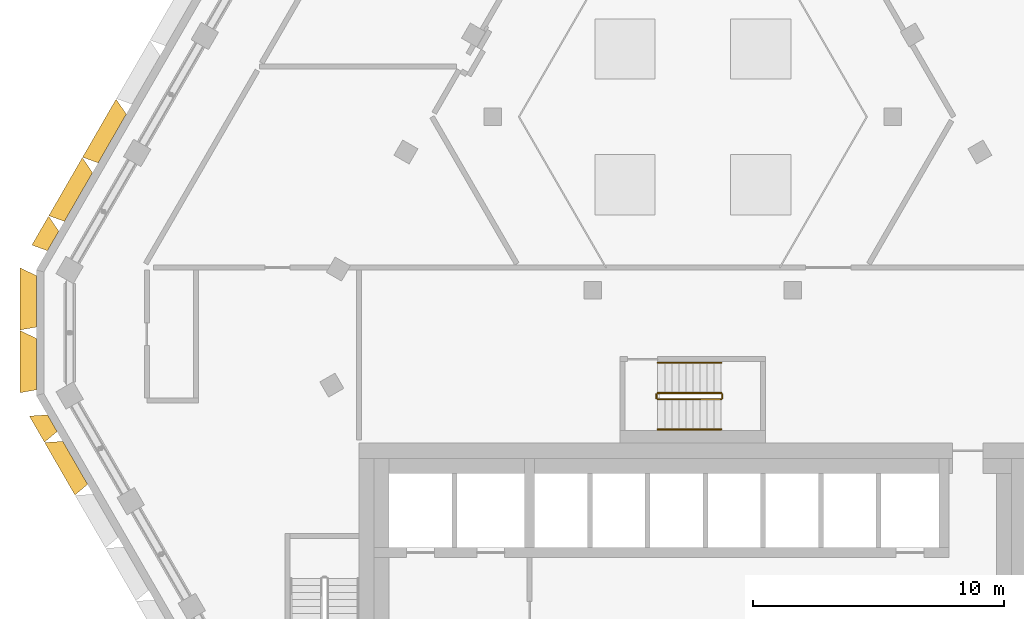
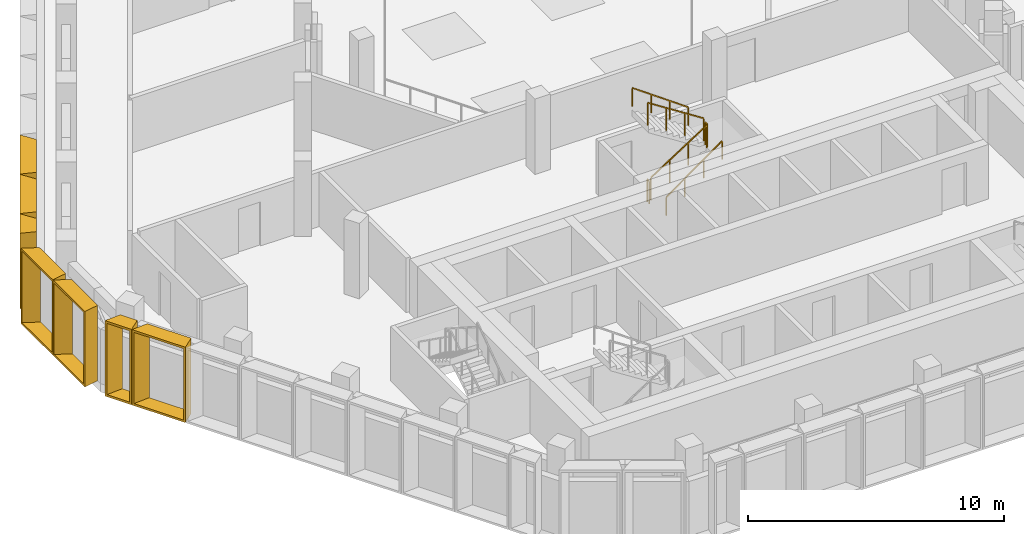
# One storey, part 21 of 24: 7 shading devices, 6 railings.
"""IFC4 building model written with IfcOpenShell, lengths in metres."""

from ifc_helpers import new_model, entity, si_unit, direction, frame, origin, origin_2d, place, context, subcontext, project, spatial, rectangle, extrude, source, transform, mapped, material, type_object, type_shapes, element, save


model = new_model("IFC4")

# Units and contexts
model_context = context("Model", 3, precision=1e-05, world=origin(), true_north=direction((0.0, 1.0)))
body_context = subcontext(model_context, "Body", "Model", "MODEL_VIEW")
ifc_project = project(units=[si_unit("LENGTHUNIT", "METRE"), si_unit("AREAUNIT", "SQUARE_METRE"), si_unit("VOLUMEUNIT", "CUBIC_METRE"), si_unit("PLANEANGLEUNIT", "RADIAN"), si_unit("MASSUNIT", "GRAM", prefix="KILO")], contexts=[model_context])

# Site, building, storey
site_placement = place(None, origin())
site = spatial("IfcSite", under=ifc_project, at=site_placement, CompositionType="ELEMENT")
building_placement = place(site_placement, origin())
building = spatial("IfcBuilding", under=site, at=building_placement, Name="Beryl Residences", CompositionType="ELEMENT")
storey_placement = place(building_placement, frame((0.0, 0.0, 199.199951171875)))
storey = spatial("IfcBuildingStorey", under=building, at=storey_placement, Name="L61", CompositionType="ELEMENT", Elevation=199.199951171875)

# Shading devices
ifc_material_1 = material(Name="Aluminium pale anodised", Category="aluminium")
shading_device_type_1 = type_object("IfcShadingDeviceType", Name="FR122-65B-H36 OUTER SKIN frame 650 mm deep, splay 26/10 deg, 1220 x 3600 mm cell", PredefinedType="USERDEFINED", material=ifc_material_1)
cartesian_point_1 = entity("IfcCartesianPoint", [-0.384033203125, 0.0])
cartesian_point_2 = entity("IfcCartesianPoint", [-0.294921875, 0.10009765625])
cartesian_point_3 = entity("IfcCartesianPoint", [-0.700927734375, 0.0])
cartesian_point_4 = entity("IfcCartesianPoint", [-0.612060546875, 0.10009765625])
shared_shape_1 = source(origin(), body_context, "Body", "SweptSolid", [
    entity("IfcExtrudedAreaSolidTapered", entity("IfcArbitraryProfileDefWithVoids", "AREA", None, entity("IfcPolyline", [cartesian_point_1, entity("IfcCartesianPoint", [0.384033203125, 0.0]), entity("IfcCartesianPoint", [0.384033203125, 3.60009765625]), entity("IfcCartesianPoint", [-0.384033203125, 3.60009765625]), cartesian_point_1]), [entity("IfcPolyline", [cartesian_point_2, entity("IfcCartesianPoint", [0.302734375, 0.10009765625]), entity("IfcCartesianPoint", [0.302734375, 3.5]), entity("IfcCartesianPoint", [-0.294921875, 3.5]), cartesian_point_2])]), entity("IfcAxis2Placement3D", entity("IfcCartesianPoint", [0.0, 0.0, 0.0]), entity("IfcDirection", [0.0, 1.0, 0.0]), entity("IfcDirection", [-1.0, 0.0, 0.0])), entity("IfcDirection", [0.0, 0.0, 1.0]), 0.64990234375, entity("IfcArbitraryProfileDefWithVoids", "AREA", None, entity("IfcPolyline", [cartesian_point_3, entity("IfcCartesianPoint", [0.49853515625, 0.0]), entity("IfcCartesianPoint", [0.49853515625, 3.60009765625]), entity("IfcCartesianPoint", [-0.700927734375, 3.60009765625]), cartesian_point_3]), [entity("IfcPolyline", [cartesian_point_4, entity("IfcCartesianPoint", [0.41748046875, 0.10009765625]), entity("IfcCartesianPoint", [0.41748046875, 3.5]), entity("IfcCartesianPoint", [-0.612060546875, 3.5]), cartesian_point_4])])),
])
type_shapes(shading_device_type_1, [shared_shape_1])
shading_device_1_placement = place(storey_placement, frame((-25.51708984375, -4.200927734375, 0.0), z_axis=(0.0, 0.0, 1.0), x_axis=(-0.5, 0.866025403784, 0.0)))
element("IfcShadingDevice", 1, at=shading_device_1_placement, inside=storey, type_object=shading_device_type_1, Name="FR122-65B-H36 frame L61 SW 1", ObjectType="OUTER SKIN", PredefinedType="USERDEFINED", context=body_context, shape_type="MappedRepresentation", body=[
    mapped(shared_shape_1, transform((0.0, 0.0, 0.0))),
])
ifc_material_2 = material(Name="Aluminium pale anodised", Category="aluminium")
shading_device_type_2 = type_object("IfcShadingDeviceType", Name="FR135-65B-H36 OUTER SKIN frame 650 mm deep, splay 26/10 deg, 1350 x 3600 mm cell", PredefinedType="USERDEFINED", material=ifc_material_2)
cartesian_point_5 = entity("IfcCartesianPoint", [-0.448974609375, 0.0])
cartesian_point_6 = entity("IfcCartesianPoint", [-0.360107421875, 0.10009765625])
cartesian_point_7 = entity("IfcCartesianPoint", [-0.76611328125, 0.0])
cartesian_point_8 = entity("IfcCartesianPoint", [-0.677001953125, 0.10009765625])
shared_shape_2 = source(origin(), body_context, "Body", "SweptSolid", [
    entity("IfcExtrudedAreaSolidTapered", entity("IfcArbitraryProfileDefWithVoids", "AREA", None, entity("IfcPolyline", [cartesian_point_5, entity("IfcCartesianPoint", [0.448974609375, 0.0]), entity("IfcCartesianPoint", [0.448974609375, 3.60009765625]), entity("IfcCartesianPoint", [-0.448974609375, 3.60009765625]), cartesian_point_5]), [entity("IfcPolyline", [cartesian_point_6, entity("IfcCartesianPoint", [0.36767578125, 0.10009765625]), entity("IfcCartesianPoint", [0.36767578125, 3.5]), entity("IfcCartesianPoint", [-0.360107421875, 3.5]), cartesian_point_6])]), entity("IfcAxis2Placement3D", entity("IfcCartesianPoint", [0.0, 0.0, 0.0]), entity("IfcDirection", [0.0, 1.0, 0.0]), entity("IfcDirection", [-1.0, 0.0, 0.0])), entity("IfcDirection", [0.0, 0.0, 1.0]), 0.64990234375, entity("IfcArbitraryProfileDefWithVoids", "AREA", None, entity("IfcPolyline", [cartesian_point_7, entity("IfcCartesianPoint", [0.563720703125, 0.0]), entity("IfcCartesianPoint", [0.563720703125, 3.60009765625]), entity("IfcCartesianPoint", [-0.76611328125, 3.60009765625]), cartesian_point_7]), [entity("IfcPolyline", [cartesian_point_8, entity("IfcCartesianPoint", [0.482421875, 0.10009765625]), entity("IfcCartesianPoint", [0.482421875, 3.5]), entity("IfcCartesianPoint", [-0.677001953125, 3.5]), cartesian_point_8])])),
])
type_shapes(shading_device_type_2, [shared_shape_2])
shading_device_2_placement = place(storey_placement, frame((-25.485107421875, 3.056884765625, 0.0), z_axis=(0.0, 0.0, 1.0), x_axis=(0.5, 0.866025403784, 0.0)))
element("IfcShadingDevice", 2, at=shading_device_2_placement, inside=storey, type_object=shading_device_type_2, Name="FR135-65B-H36 frame L61 NW 9", ObjectType="OUTER SKIN", PredefinedType="USERDEFINED", context=body_context, shape_type="MappedRepresentation", body=[
    mapped(shared_shape_2, transform((0.0, 0.0, 0.0))),
])
ifc_material_3 = material(Name="Aluminium pale anodised", Category="aluminium")
shading_device_type_3 = type_object("IfcShadingDeviceType", Name="FR243-65B-H36 OUTER SKIN frame 650 mm deep, splay 26/10 deg, 2430 x 3600 mm cell", PredefinedType="USERDEFINED", material=ifc_material_3)
cartesian_point_9 = entity("IfcCartesianPoint", [-0.989013671875, 0.0])
cartesian_point_10 = entity("IfcCartesianPoint", [-0.89990234375, 0.10009765625])
cartesian_point_11 = entity("IfcCartesianPoint", [-1.305908203125, 0.0])
cartesian_point_12 = entity("IfcCartesianPoint", [-1.217041015625, 0.10009765625])
shared_shape_3 = source(origin(), body_context, "Body", "SweptSolid", [
    entity("IfcExtrudedAreaSolidTapered", entity("IfcArbitraryProfileDefWithVoids", "AREA", None, entity("IfcPolyline", [cartesian_point_9, entity("IfcCartesianPoint", [0.989013671875, 0.0]), entity("IfcCartesianPoint", [0.989013671875, 3.60009765625]), entity("IfcCartesianPoint", [-0.989013671875, 3.60009765625]), cartesian_point_9]), [entity("IfcPolyline", [cartesian_point_10, entity("IfcCartesianPoint", [0.90771484375, 0.10009765625]), entity("IfcCartesianPoint", [0.90771484375, 3.5]), entity("IfcCartesianPoint", [-0.89990234375, 3.5]), cartesian_point_10])]), entity("IfcAxis2Placement3D", entity("IfcCartesianPoint", [0.0, 0.0, 0.0]), entity("IfcDirection", [0.0, 1.0, 0.0]), entity("IfcDirection", [-1.0, 0.0, 0.0])), entity("IfcDirection", [0.0, 0.0, 1.0]), 0.64990234375, entity("IfcArbitraryProfileDefWithVoids", "AREA", None, entity("IfcPolyline", [cartesian_point_11, entity("IfcCartesianPoint", [1.103515625, 0.0]), entity("IfcCartesianPoint", [1.103515625, 3.60009765625]), entity("IfcCartesianPoint", [-1.305908203125, 3.60009765625]), cartesian_point_11]), [entity("IfcPolyline", [cartesian_point_12, entity("IfcCartesianPoint", [1.0224609375, 0.10009765625]), entity("IfcCartesianPoint", [1.0224609375, 3.5]), entity("IfcCartesianPoint", [-1.217041015625, 3.5]), cartesian_point_12])])),
])
type_shapes(shading_device_type_3, [shared_shape_3])
shading_device_3_placement = place(storey_placement, frame((-24.60498046875, -5.781005859375, 0.0), z_axis=(0.0, 0.0, 1.0), x_axis=(-0.5, 0.866025403784, 0.0)))
element("IfcShadingDevice", 3, at=shading_device_3_placement, inside=storey, type_object=shading_device_type_3, Name="FR243-65B-H36 frame L61 SW 2", ObjectType="OUTER SKIN", PredefinedType="USERDEFINED", context=body_context, shape_type="MappedRepresentation", body=[
    mapped(shared_shape_3, transform((0.0, 0.0, 0.0))),
])
ifc_material_4 = material(Name="Aluminium pale anodised", Category="aluminium")
shading_device_type_4 = type_object("IfcShadingDeviceType", Name="FR250-65B-H36 OUTER SKIN frame 650 mm deep, splay 26/10 deg, 2500 x 3600 mm cell", PredefinedType="USERDEFINED", material=ifc_material_4)
cartesian_point_13 = entity("IfcCartesianPoint", [-1.02392578125, 0.0])
cartesian_point_14 = entity("IfcCartesianPoint", [-0.93505859375, 0.10009765625])
cartesian_point_15 = entity("IfcCartesianPoint", [-1.341064453125, 0.0])
cartesian_point_16 = entity("IfcCartesianPoint", [-1.251953125, 0.10009765625])
shared_shape_4 = source(origin(), body_context, "Body", "SweptSolid", [
    entity("IfcExtrudedAreaSolidTapered", entity("IfcArbitraryProfileDefWithVoids", "AREA", None, entity("IfcPolyline", [cartesian_point_13, entity("IfcCartesianPoint", [1.02392578125, 0.0]), entity("IfcCartesianPoint", [1.02392578125, 3.60009765625]), entity("IfcCartesianPoint", [-1.02392578125, 3.60009765625]), cartesian_point_13]), [entity("IfcPolyline", [cartesian_point_14, entity("IfcCartesianPoint", [0.94287109375, 0.10009765625]), entity("IfcCartesianPoint", [0.94287109375, 3.5]), entity("IfcCartesianPoint", [-0.93505859375, 3.5]), cartesian_point_14])]), entity("IfcAxis2Placement3D", entity("IfcCartesianPoint", [0.0, 0.0, 0.0]), entity("IfcDirection", [0.0, 1.0, 0.0]), entity("IfcDirection", [-1.0, 0.0, 0.0])), entity("IfcDirection", [0.0, 0.0, 1.0]), 0.64990234375, entity("IfcArbitraryProfileDefWithVoids", "AREA", None, entity("IfcPolyline", [cartesian_point_15, entity("IfcCartesianPoint", [1.138671875, 0.0]), entity("IfcCartesianPoint", [1.138671875, 3.60009765625]), entity("IfcCartesianPoint", [-1.341064453125, 3.60009765625]), cartesian_point_15]), [entity("IfcPolyline", [cartesian_point_16, entity("IfcCartesianPoint", [1.057373046875, 0.10009765625]), entity("IfcCartesianPoint", [1.057373046875, 3.5]), entity("IfcCartesianPoint", [-1.251953125, 3.5]), cartesian_point_16])])),
])
type_shapes(shading_device_type_4, [shared_shape_4])
for number, where, z_axis, x_axis, name in (
    (4, (-26.154052734375, 0.64990234375, 0.0), (0.0, 0.0, 1.0), (0.0, 1.0, 0.0), "FR250-65B-H36 frame L61 NW-SW 1"),
    (5, (-26.154052734375, -1.85009765625, 0.0), (0.0, 0.0, 1.0), (0.0, 1.0, 0.0), "FR250-65B-H36 frame L61 NW-SW 2"),
):
    element("IfcShadingDevice", number, at=place(storey_placement, frame(where, z_axis=z_axis, x_axis=x_axis)), inside=storey, type_object=shading_device_type_4, Name=name, ObjectType="OUTER SKIN", PredefinedType="USERDEFINED", context=body_context, shape_type="MappedRepresentation", body=[
        mapped(shared_shape_4, transform((0.0, 0.0, 0.0))),
    ])
ifc_material_5 = material(Name="Aluminium pale anodised", Category="aluminium")
shading_device_type_5 = type_object("IfcShadingDeviceType", Name="FR269-65B-H36 OUTER SKIN frame 650 mm deep, splay 26/10 deg, 2690 x 3600 mm cell", PredefinedType="USERDEFINED", material=ifc_material_5)
cartesian_point_17 = entity("IfcCartesianPoint", [-1.118896484375, 0.0])
cartesian_point_18 = entity("IfcCartesianPoint", [-1.030029296875, 0.10009765625])
cartesian_point_19 = entity("IfcCartesianPoint", [-1.43603515625, 0.0])
cartesian_point_20 = entity("IfcCartesianPoint", [-1.346923828125, 0.10009765625])
shared_shape_5 = source(origin(), body_context, "Body", "SweptSolid", [
    entity("IfcExtrudedAreaSolidTapered", entity("IfcArbitraryProfileDefWithVoids", "AREA", None, entity("IfcPolyline", [cartesian_point_17, entity("IfcCartesianPoint", [1.118896484375, 0.0]), entity("IfcCartesianPoint", [1.118896484375, 3.60009765625]), entity("IfcCartesianPoint", [-1.118896484375, 3.60009765625]), cartesian_point_17]), [entity("IfcPolyline", [cartesian_point_18, entity("IfcCartesianPoint", [1.037841796875, 0.10009765625]), entity("IfcCartesianPoint", [1.037841796875, 3.5]), entity("IfcCartesianPoint", [-1.030029296875, 3.5]), cartesian_point_18])]), entity("IfcAxis2Placement3D", entity("IfcCartesianPoint", [0.0, 0.0, 0.0]), entity("IfcDirection", [0.0, 1.0, 0.0]), entity("IfcDirection", [-1.0, 0.0, 0.0])), entity("IfcDirection", [0.0, 0.0, 1.0]), 0.64990234375, entity("IfcArbitraryProfileDefWithVoids", "AREA", None, entity("IfcPolyline", [cartesian_point_19, entity("IfcCartesianPoint", [1.233642578125, 0.0]), entity("IfcCartesianPoint", [1.233642578125, 3.60009765625]), entity("IfcCartesianPoint", [-1.43603515625, 3.60009765625]), cartesian_point_19]), [entity("IfcPolyline", [cartesian_point_20, entity("IfcCartesianPoint", [1.15234375, 0.10009765625]), entity("IfcCartesianPoint", [1.15234375, 3.5]), entity("IfcCartesianPoint", [-1.346923828125, 3.5]), cartesian_point_20])])),
])
type_shapes(shading_device_type_5, [shared_shape_5])
for number, where, z_axis, x_axis, name in (
    (6, (-23.1298828125, 7.136962890625, 0.0), (0.0, 0.0, 1.0), (0.5, 0.866025403784, 0.0), "FR269-65B-H36 frame L61 NW 7"),
    (7, (-24.47607421875, 4.805908203125, 0.0), (0.0, 0.0, 1.0), (0.5, 0.866025403784, 0.0), "FR269-65B-H36 frame L61 NW 8"),
):
    element("IfcShadingDevice", number, at=place(storey_placement, frame(where, z_axis=z_axis, x_axis=x_axis)), inside=storey, type_object=shading_device_type_5, Name=name, ObjectType="OUTER SKIN", PredefinedType="USERDEFINED", context=body_context, shape_type="MappedRepresentation", body=[
        mapped(shared_shape_5, transform((0.0, 0.0, 0.0))),
    ])

# Railings
ifc_material_6 = material(Name="Stainless steel balustrade with glass infill", Category="steel")
railing_type_1 = type_object("IfcRailingType", Name="SG1 stair guard 1100 mm", PredefinedType="GUARDRAIL", material=ifc_material_6)
railing_1_placement = place(storey_placement, frame((-1.39990234375, -3.25, 0.179931640625)))
element("IfcRailing", 8, at=railing_1_placement, inside=storey, type_object=railing_type_1, Name="L61 ST-4 stair guard 1", PredefinedType="GUARDRAIL", context=body_context, shape_type="SweptSolid", body=[
    extrude(rectangle(XDim=0.048095703125, YDim=0.048095703125, at=origin_2d()), frame((0.0, 0.0, 1.076171875), z_axis=(0.841162588446, 0.0, 0.540782303519), x_axis=(0.0, 1.0, 0.0)), (0.0, 0.0, 1.0), 2.995849609375),
    extrude(rectangle(XDim=0.0419921875, YDim=0.0419921875, at=origin_2d()), origin(), (0.0, 0.0, 1.0), 1.052001953125),
    extrude(rectangle(XDim=0.0419921875, YDim=0.0419921875, at=origin_2d()), frame((0.840087890625, 0.0, 0.5400390625)), (0.0, 0.0, 1.0), 1.052001953125),
    extrude(rectangle(XDim=0.0419921875, YDim=0.0419921875, at=origin_2d()), frame((1.679931640625, 0.0, 1.080078125)), (0.0, 0.0, 1.0), 1.052001953125),
    extrude(rectangle(XDim=0.0419921875, YDim=0.0419921875, at=origin_2d()), frame((2.52001953125, 0.0, 1.6201171875)), (0.0, 0.0, 1.0), 1.052001953125),
])
railing_2_placement = place(storey_placement, frame((1.169921875, -3.199951171875, 1.800048828125)))
element("IfcRailing", 9, at=railing_2_placement, inside=storey, type_object=railing_type_1, Name="L61 ST-4 stair guard 2", PredefinedType="GUARDRAIL", context=body_context, shape_type="SweptSolid", body=[
    extrude(rectangle(XDim=0.048095703125, YDim=0.048095703125, at=origin_2d()), frame((0.0, 0.0, 1.076171875), z_axis=(0.0, 1.0, 0.0), x_axis=(-1.0, 0.0, 0.0)), (0.0, 0.0, 1.0), 0.14990234375),
    extrude(rectangle(XDim=0.0419921875, YDim=0.0419921875, at=origin_2d()), origin(), (0.0, 0.0, 1.0), 1.052001953125),
    extrude(rectangle(XDim=0.0419921875, YDim=0.0419921875, at=origin_2d()), frame((0.0, 0.14990234375, 0.0)), (0.0, 0.0, 1.0), 1.052001953125),
])
railing_3_placement = place(storey_placement, frame((1.1201171875, -3.0, 1.97998046875)))
element("IfcRailing", 10, at=railing_3_placement, inside=storey, type_object=railing_type_1, Name="L61 ST-4 stair guard 3", PredefinedType="GUARDRAIL", context=body_context, shape_type="SweptSolid", body=[
    extrude(rectangle(XDim=0.048095703125, YDim=0.048095703125, at=origin_2d()), frame((0.0, 0.0, 1.076171875), z_axis=(-0.841162588446, 0.0, 0.540782303519), x_axis=(0.0, -1.0, 0.0)), (0.0, 0.0, 1.0), 2.995849609375),
    extrude(rectangle(XDim=0.0419921875, YDim=0.0419921875, at=origin_2d()), origin(), (0.0, 0.0, 1.0), 1.052001953125),
    extrude(rectangle(XDim=0.0419921875, YDim=0.0419921875, at=origin_2d()), frame((-0.840087890625, 0.0, 0.5400390625)), (0.0, 0.0, 1.0), 1.052001953125),
    extrude(rectangle(XDim=0.0419921875, YDim=0.0419921875, at=origin_2d()), frame((-1.679931640625, 0.0, 1.080078125)), (0.0, 0.0, 1.0), 1.052001953125),
    extrude(rectangle(XDim=0.0419921875, YDim=0.0419921875, at=origin_2d()), frame((-2.52001953125, 0.0, 1.6201171875)), (0.0, 0.0, 1.0), 1.052001953125),
])
railing_4_placement = place(storey_placement, frame((-1.449951171875, -3.199951171875, 0.0)))
element("IfcRailing", 11, at=railing_4_placement, inside=storey, type_object=railing_type_1, Name="L61 ST-4 stair guard 4", PredefinedType="GUARDRAIL", context=body_context, shape_type="SweptSolid", body=[
    extrude(rectangle(XDim=0.048095703125, YDim=0.048095703125, at=origin_2d()), frame((0.0, 0.0, 1.076171875), z_axis=(0.0, 1.0, 0.0), x_axis=(-1.0, 0.0, 0.0)), (0.0, 0.0, 1.0), 0.14990234375),
    extrude(rectangle(XDim=0.0419921875, YDim=0.0419921875, at=origin_2d()), origin(), (0.0, 0.0, 1.0), 1.052001953125),
    extrude(rectangle(XDim=0.0419921875, YDim=0.0419921875, at=origin_2d()), frame((0.0, 0.14990234375, 0.0)), (0.0, 0.0, 1.0), 1.052001953125),
])
ifc_material_7 = material(Name="Stainless steel handrail", Category="steel")
railing_type_2 = type_object("IfcRailingType", Name="SRL1 stair handrail 900 mm", PredefinedType="HANDRAIL", material=ifc_material_7)
railing_5_placement = place(storey_placement, frame((-1.39990234375, -4.449951171875, 0.179931640625)))
element("IfcRailing", 12, at=railing_5_placement, inside=storey, type_object=railing_type_2, Name="L61 ST-4 stair handrail 1", PredefinedType="HANDRAIL", context=body_context, shape_type="SweptSolid", body=[
    extrude(rectangle(XDim=0.048095703125, YDim=0.048095703125, at=origin_2d()), frame((0.0, 0.0, 0.8759765625), z_axis=(0.813728144527, 0.0, 0.581245650998), x_axis=(0.0, 1.0, 0.0)), (0.0, 0.0, 1.0), 3.096923828125),
    extrude(rectangle(XDim=0.0419921875, YDim=0.0419921875, at=origin_2d()), origin(), (0.0, 0.0, 1.0), 0.851806640625),
    extrude(rectangle(XDim=0.0419921875, YDim=0.0419921875, at=origin_2d()), frame((0.840087890625, 0.0, 0.60009765625)), (0.0, 0.0, 1.0), 0.851806640625),
    extrude(rectangle(XDim=0.0419921875, YDim=0.0419921875, at=origin_2d()), frame((1.679931640625, 0.0, 1.199951171875)), (0.0, 0.0, 1.0), 0.851806640625),
    extrude(rectangle(XDim=0.0419921875, YDim=0.0419921875, at=origin_2d()), frame((2.52001953125, 0.0, 1.800048828125)), (0.0, 0.0, 1.0), 0.851806640625),
])
railing_6_placement = place(storey_placement, frame((1.1201171875, -1.800048828125, 1.97998046875)))
element("IfcRailing", 13, at=railing_6_placement, inside=storey, type_object=railing_type_2, Name="L61 ST-4 stair handrail 2", PredefinedType="HANDRAIL", context=body_context, shape_type="SweptSolid", body=[
    extrude(rectangle(XDim=0.048095703125, YDim=0.048095703125, at=origin_2d()), frame((0.0, 0.0, 0.8759765625), z_axis=(-0.813728144527, 0.0, 0.581245650998), x_axis=(0.0, -1.0, 0.0)), (0.0, 0.0, 1.0), 3.096923828125),
    extrude(rectangle(XDim=0.0419921875, YDim=0.0419921875, at=origin_2d()), origin(), (0.0, 0.0, 1.0), 0.851806640625),
    extrude(rectangle(XDim=0.0419921875, YDim=0.0419921875, at=origin_2d()), frame((-0.840087890625, 0.0, 0.60009765625)), (0.0, 0.0, 1.0), 0.851806640625),
    extrude(rectangle(XDim=0.0419921875, YDim=0.0419921875, at=origin_2d()), frame((-1.679931640625, 0.0, 1.199951171875)), (0.0, 0.0, 1.0), 0.851806640625),
    extrude(rectangle(XDim=0.0419921875, YDim=0.0419921875, at=origin_2d()), frame((-2.52001953125, 0.0, 1.800048828125)), (0.0, 0.0, 1.0), 0.851806640625),
])

save(model, "model.ifc")
